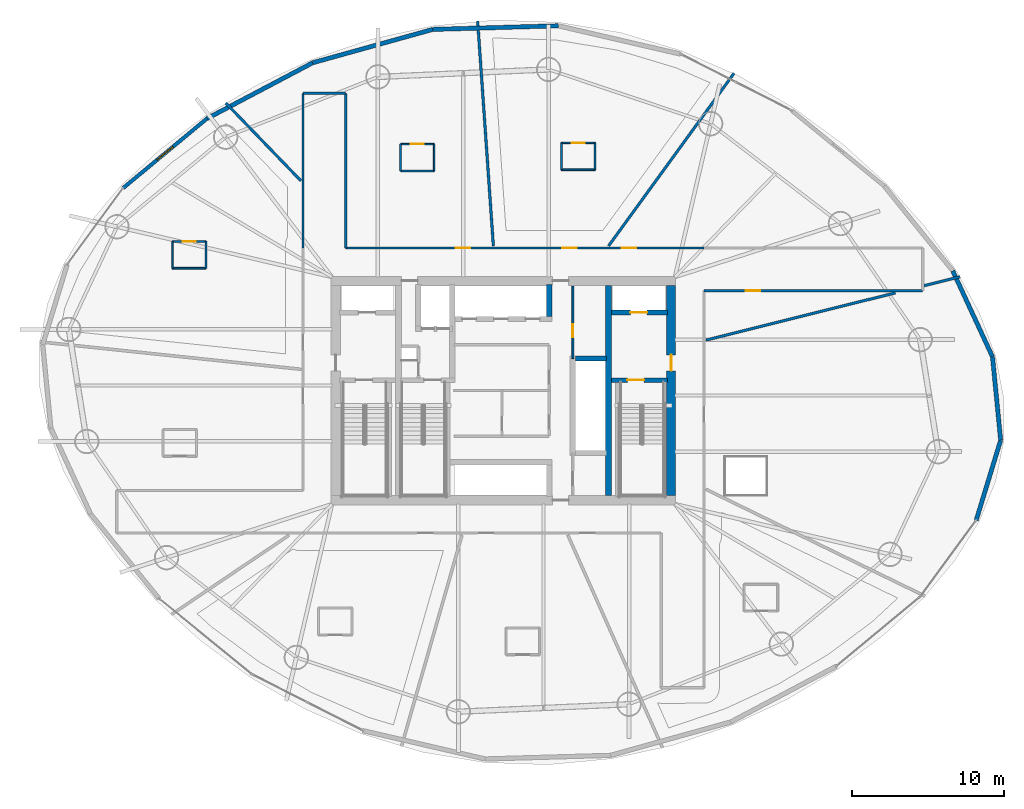
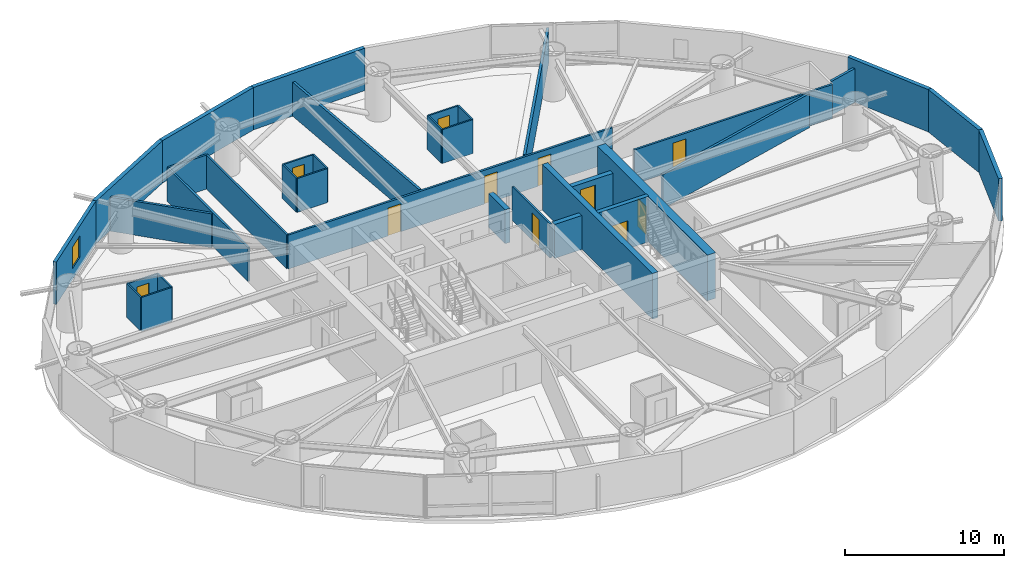
# One storey, part 16 of 20: 36 walls, 11 doors, 1 window, 12 openings.
"""IFC4 building model written with IfcOpenShell, lengths in metres."""

from ifc_helpers import new_model, si_unit, direction, frame, frame_2d, origin, place, context, subcontext, project, spatial, rectangle, extrude, material, layer, layer_set, type_object, element, fill, save


model = new_model("IFC4")

# Units and contexts
model_context = context("Model", 3, precision=1e-05, world=origin(), true_north=direction((0.0, 1.0)))
body_context = subcontext(model_context, "Body", "Model", "MODEL_VIEW")
ifc_project = project(units=[si_unit("LENGTHUNIT", "METRE"), si_unit("AREAUNIT", "SQUARE_METRE"), si_unit("VOLUMEUNIT", "CUBIC_METRE"), si_unit("PLANEANGLEUNIT", "RADIAN"), si_unit("MASSUNIT", "GRAM", prefix="KILO")], contexts=[model_context])

# Site, building, storey
site_placement = place(None, origin())
site = spatial("IfcSite", under=ifc_project, at=site_placement, CompositionType="ELEMENT")
building_placement = place(site_placement, origin())
building = spatial("IfcBuilding", under=site, at=building_placement, Name="Bramvorn Convention Spire", CompositionType="ELEMENT")
storey_placement = place(building_placement, frame((0.0, 0.0, 58.89990234375)))
storey = spatial("IfcBuildingStorey", under=building, at=storey_placement, Name="L12", CompositionType="ELEMENT", Elevation=58.89990234375)

# Wall, opening, door
ifc_material_1 = material(Name="Concrete C60/70", Category="concrete")
ifc_layer_1 = layer(ifc_material_1, 0.60009765625)
ifc_layer_set_1 = layer_set([ifc_layer_1], Name="Concrete C60/70 - WL-CORE-600")
wall_type_1 = type_object("IfcWallType", Name="WL-CORE-600", PredefinedType="SHEAR", material=ifc_layer_set_1)
wall_1_placement = place(storey_placement, frame((49.0, 19.10009765625, 0.0), z_axis=(0.0, 0.0, 1.0), x_axis=(0.0, 1.0, 0.0)))
wall_1 = element("IfcWall", 1, at=wall_1_placement, inside=storey, type_object=wall_type_1, Name="L12 East RC core shear wall", PredefinedType="SHEAR", context=body_context, shape_type="SweptSolid", body=[
    extrude(rectangle(XDim=13.7998046875, YDim=0.60009765625, at=frame_2d((6.89990234375, 0.0))), origin(), (0.0, 0.0, 1.0), 3.5),
])
opening_1_placement = place(wall_1_placement, frame((8.199951171875, 0.0, 0.0)))
opening_1 = element("IfcOpeningElement", 2, at=opening_1_placement, cuts=wall_1, Name="Opening DL-105", PredefinedType="OPENING", context=body_context, shape_type="SweptSolid", body=[
    extrude(rectangle(XDim=1.050048828125, YDim=2.14990234375, at=frame_2d((0.52490234375, 1.074951171875))), frame((0.0, 0.31005859375, 0.0), z_axis=(0.0, -1.0, 0.0), x_axis=(1.0, 0.0, 0.0)), (0.0, 0.0, 1.0), 0.6201171875),
])
ifc_material_2 = material(Name="Smoke-Sealed Fire Lobby Timber-Core Door", Category="wood")
door_type_1 = type_object("IfcDoorType", Name="DR-LOBBY-1050", OperationType="NOTDEFINED", PredefinedType="DOOR", material=ifc_material_2)
door_1_placement = place(opening_1_placement, origin())
door_1 = element("IfcDoor", 3, at=door_1_placement, inside=storey, type_object=door_type_1, Name="L12 East Firefighting Lobby corridor door", OperationType="SINGLE_SWING_LEFT", OverallHeight=2.14990234375, OverallWidth=1.050048828125, PredefinedType="DOOR", context=body_context, shape_type="SweptSolid", body=[
    extrude(rectangle(XDim=1.050048828125, YDim=2.14990234375, at=frame_2d((0.52490234375, 1.074951171875))), frame((0.0, 0.02490234375, 0.0), z_axis=(0.0, -1.0, 0.0), x_axis=(1.0, 0.0, 0.0)), (0.0, 0.0, 1.0), 0.050048828125),
])
fill(opening_1, door_1)

ifc_material_3 = material(Name="Concrete C50/60", Category="concrete")
ifc_layer_2 = layer(ifc_material_3, 0.35009765625)
ifc_layer_set_2 = layer_set([ifc_layer_2], Name="Concrete C50/60 - WL-CORE-INT-350")
wall_type_2 = type_object("IfcWallType", Name="WL-CORE-INT-350", PredefinedType="SHEAR", material=ifc_layer_set_2)
wall_2_placement = place(storey_placement, frame((45.080078125, 31.1201171875, 0.0), z_axis=(0.0, 0.0, 1.0), x_axis=(1.0, 0.0, 0.0)))
wall_2 = element("IfcWall", 4, at=wall_2_placement, inside=storey, type_object=wall_type_2, Name="L12 FE2 shaft front wall", PredefinedType="SHEAR", context=body_context, shape_type="SweptSolid", body=[
    extrude(rectangle(XDim=3.669921875, YDim=0.35009765625, at=frame_2d((1.8349609375, 0.0))), origin(), (0.0, 0.0, 1.0), 2.60009765625),
])
opening_2_placement = place(wall_2_placement, frame((1.25, 0.0, 0.0)))
opening_2 = element("IfcOpeningElement", 5, at=opening_2_placement, cuts=wall_2, Name="Opening LD-110", PredefinedType="OPENING", context=body_context, shape_type="SweptSolid", body=[
    extrude(rectangle(XDim=1.10009765625, YDim=2.14990234375, at=frame_2d((0.550048828125, 1.074951171875))), frame((0.0, 0.18505859375, 0.0), z_axis=(0.0, -1.0, 0.0), x_axis=(1.0, 0.0, 0.0)), (0.0, 0.0, 1.0), 0.3701171875),
])
ifc_material_4 = material(Name="Firefighting & Service Lift Sliding Landing Door", Category="steel")
door_type_2 = type_object("IfcDoorType", Name="DR-LIFT-LD-1100", OperationType="NOTDEFINED", PredefinedType="DOOR", material=ifc_material_4)
door_2_placement = place(opening_2_placement, origin())
door_2 = element("IfcDoor", 6, at=door_2_placement, inside=storey, type_object=door_type_2, Name="L12 Lift FE2 Sliding Landing Door", OperationType="SLIDING_TO_LEFT", OverallHeight=2.14990234375, OverallWidth=1.10009765625, PredefinedType="DOOR", context=body_context, shape_type="SweptSolid", body=[
    extrude(rectangle(XDim=1.10009765625, YDim=2.14990234375, at=frame_2d((0.550048828125, 1.074951171875))), frame((0.0, 0.02490234375, 0.0), z_axis=(0.0, -1.0, 0.0), x_axis=(1.0, 0.0, 0.0)), (0.0, 0.0, 1.0), 0.050048828125),
])
fill(opening_2, door_2)

# Walls
wall_3_placement = place(storey_placement, frame((42.719970703125, 28.10009765625, 0.0), z_axis=(0.0, 0.0, 1.0), x_axis=(1.0, 0.0, 0.0)))
element("IfcWall", 7, at=wall_3_placement, inside=storey, type_object=wall_type_2, Name="L12 High-rise lift bank north wall", PredefinedType="SHEAR", context=body_context, shape_type="SweptSolid", body=[
    extrude(rectangle(XDim=2.030029296875, YDim=0.35009765625, at=frame_2d((1.01513671875, 0.0))), origin(), (0.0, 0.0, 1.0), 2.60009765625),
])
wall_4_placement = place(storey_placement, frame((41.0, 30.8701171875, 0.0), z_axis=(0.0, 0.0, 1.0), x_axis=(0.0, 1.0, 0.0)))
element("IfcWall", 8, at=wall_4_placement, inside=storey, type_object=wall_type_2, Name="L12 Low-rise bank east cheek wall", PredefinedType="SHEAR", context=body_context, shape_type="SweptSolid", body=[
    extrude(rectangle(XDim=2.079833984375, YDim=0.35009765625, at=frame_2d((1.0400390625, 0.0))), origin(), (0.0, 0.0, 1.0), 2.60009765625),
])
ifc_layer_3 = layer(ifc_material_1, 0.39990234375)
ifc_layer_set_3 = layer_set([ifc_layer_3], Name="Concrete C60/70 - WL-CORE-INT-400")
wall_type_3 = type_object("IfcWallType", Name="WL-CORE-INT-400", PredefinedType="SHEAR", material=ifc_layer_set_3)
wall_5_placement = place(storey_placement, frame((44.89990234375, 19.10009765625, 0.0), z_axis=(0.0, 0.0, 1.0), x_axis=(0.0, 1.0, 0.0)))
element("IfcWall", 9, at=wall_5_placement, inside=storey, type_object=wall_type_3, Name="L12 East internal core shear web", PredefinedType="SHEAR", context=body_context, shape_type="SweptSolid", body=[
    extrude(rectangle(XDim=13.7998046875, YDim=0.39990234375, at=frame_2d((6.89990234375, 0.0))), origin(), (0.0, 0.0, 1.0), 3.5),
])
ifc_material_5 = material(Name="Precast Concrete C40/50 with Bronze Terracotta Rainscreen", Category="masonry")
ifc_layer_4 = layer(ifc_material_5, 0.300048828125)
ifc_layer_set_4 = layer_set([ifc_layer_4], Name="Precast Concrete C40/50 with Bronze Terracotta Rainscreen - WL-EXT-BRONZE-300")
wall_type_4 = type_object("IfcWallType", Name="WL-EXT-BRONZE-300", PredefinedType="SOLIDWALL", material=ifc_layer_set_4)
wall_6_placement = place(storey_placement, frame((70.08251953125, 28.215576171875, 0.0), z_axis=(0.0, 0.0, 1.0), x_axis=(0.09739288293, -0.995246012981, 0.0)))
element("IfcWall", 10, at=wall_6_placement, inside=storey, type_object=wall_type_4, Name="L12 expressed bronze Gothic lancet pier wall 01", PredefinedType="SOLIDWALL", context=body_context, shape_type="SweptSolid", body=[
    extrude(rectangle(XDim=5.497314453125, YDim=0.280029296875, at=frame_2d((2.74853515625, 0.0))), origin(), (0.0, 0.0, 1.0), 3.25),
])
wall_7_placement = place(storey_placement, frame((67.474853515625, 33.853759765625, 0.0), z_axis=(0.0, 0.0, 1.0), x_axis=(0.41977831576, -0.907626666432, 0.0)))
element("IfcWall", 11, at=wall_7_placement, inside=storey, type_object=wall_type_4, Name="L12 expressed bronze Gothic lancet pier wall 02", PredefinedType="SOLIDWALL", context=body_context, shape_type="SweptSolid", body=[
    extrude(rectangle(XDim=6.2119140625, YDim=0.280029296875, at=frame_2d((3.10595703125, 0.0))), origin(), (0.0, 0.0, 1.0), 3.25),
])
wall_8_placement = place(storey_placement, frame((33.356689453125, 49.693359375, 0.0), z_axis=(0.0, 0.0, 1.0), x_axis=(0.999581948435, 0.028912425738, 0.0)))
element("IfcWall", 12, at=wall_8_placement, inside=storey, type_object=wall_type_4, Name="L12 expressed bronze Gothic lancet pier wall 07", PredefinedType="SOLIDWALL", context=body_context, shape_type="SweptSolid", body=[
    extrude(rectangle(XDim=8.241455078125, YDim=0.280029296875, at=frame_2d((4.12060546875, 0.0))), origin(), (0.0, 0.0, 1.0), 3.25),
])
wall_9_placement = place(storey_placement, frame((25.484130859375, 47.50634765625, 0.0), z_axis=(0.0, 0.0, 1.0), x_axis=(0.963511916256, 0.267665438995, 0.0)))
element("IfcWall", 13, at=wall_9_placement, inside=storey, type_object=wall_type_4, Name="L12 expressed bronze Gothic lancet pier wall 08", PredefinedType="SOLIDWALL", context=body_context, shape_type="SweptSolid", body=[
    extrude(rectangle(XDim=8.170654296875, YDim=0.280029296875, at=frame_2d((4.08544921875, 0.0))), origin(), (0.0, 0.0, 1.0), 3.25),
])
wall_10_placement = place(storey_placement, frame((18.5458984375, 43.845458984375, 0.0), z_axis=(0.0, 0.0, 1.0), x_axis=(0.884435063854, 0.466663280991, 0.0)))
element("IfcWall", 14, at=wall_10_placement, inside=storey, type_object=wall_type_4, Name="L12 expressed bronze Gothic lancet pier wall 09", PredefinedType="SOLIDWALL", context=body_context, shape_type="SweptSolid", body=[
    extrude(rectangle(XDim=7.8447265625, YDim=0.280029296875, at=frame_2d((3.92236328125, 0.0))), origin(), (0.0, 0.0, 1.0), 3.25),
])

# Wall, opening, window
wall_11_placement = place(storey_placement, frame((13.047119140625, 39.286376953125, 0.0), z_axis=(0.0, 0.0, 1.0), x_axis=(0.769818580763, 0.638262761496, 0.0)))
wall_11 = element("IfcWall", 15, at=wall_11_placement, inside=storey, type_object=wall_type_4, Name="L12 bronze ceramic-frit spandrel & operable window bay 10", PredefinedType="SOLIDWALL", context=body_context, shape_type="SweptSolid", body=[
    extrude(rectangle(XDim=7.14306640625, YDim=0.239990234375, at=frame_2d((3.571533203125, 0.0))), origin(), (0.0, 0.0, 1.0), 3.25),
])
opening_3_placement = place(wall_11_placement, frame((2.896484375, 0.0, 0.85009765625)))
opening_3 = element("IfcOpeningElement", 16, at=opening_3_placement, cuts=wall_11, Name="Opening WN07", PredefinedType="OPENING", context=body_context, shape_type="SweptSolid", body=[
    extrude(rectangle(XDim=1.35009765625, YDim=1.64990234375, at=frame_2d((0.675048828125, 0.824951171875))), frame((0.0, 0.1298828125, 0.0), z_axis=(0.0, -1.0, 0.0), x_axis=(1.0, 0.0, 0.0)), (0.0, 0.0, 1.0), 0.260009765625),
])
ifc_material_6 = material(Name="Thermally Broken Bronze Aluminium & Triple Low-E Glass", Category="aluminium")
window_type = type_object("IfcWindowType", Name="WN-OP-1350X1650", PartitioningType="SINGLE_PANEL", PredefinedType="WINDOW", material=ifc_material_6)
window_placement = place(opening_3_placement, origin())
window = element("IfcWindow", 17, at=window_placement, inside=storey, type_object=window_type, Name="L12 operable parallel-vent window 10", OverallHeight=1.64990234375, OverallWidth=1.35009765625, PartitioningType="SINGLE_PANEL", PredefinedType="WINDOW", context=body_context, shape_type="SweptSolid", body=[
    extrude(rectangle(XDim=1.35009765625, YDim=1.64990234375, at=frame_2d((0.675048828125, 0.824951171875))), frame((0.0, 0.030029296875, 0.0), z_axis=(0.0, -1.0, 0.0), x_axis=(1.0, 0.0, 0.0)), (0.0, 0.0, 1.0), 0.06005859375),
])
fill(opening_3, window)

# Walls
wall_12_placement = place(storey_placement, frame((70.617919921875, 22.744384765625, 0.0), z_axis=(0.0, 0.0, 1.0), x_axis=(-0.292172276323, -0.956365704607, 0.0)))
element("IfcWall", 18, at=wall_12_placement, inside=storey, type_object=wall_type_4, Name="L12 expressed bronze Gothic lancet pier wall 24", PredefinedType="SOLIDWALL", context=body_context, shape_type="SweptSolid", body=[
    extrude(rectangle(XDim=5.49755859375, YDim=0.280029296875, at=frame_2d((2.748779296875, 0.0))), origin(), (0.0, 0.0, 1.0), 3.25),
])
ifc_material_7 = material(Name="Lightweight En-Suite & Wet-Wall Partition", Category="gypsum")
ifc_layer_5 = layer(ifc_material_7, 0.110107421875)
ifc_layer_set_5 = layer_set([ifc_layer_5], Name="Lightweight En-Suite & Wet-Wall Partition - WL-PART-110")
wall_type_5 = type_object("IfcWallType", Name="WL-PART-110", PredefinedType="PARTITIONING", material=ifc_layer_set_5)
wall_13_placement = place(storey_placement, frame((41.805419921875, 40.48876953125, 0.0), z_axis=(0.0, 0.0, 1.0), x_axis=(1.0, 0.0, 0.0)))
element("IfcWall", 19, at=wall_13_placement, inside=storey, type_object=wall_type_5, Name="Hotel Suite 1203 en-suite south wall", PredefinedType="PARTITIONING", context=body_context, shape_type="SweptSolid", body=[
    extrude(rectangle(XDim=2.2001953125, YDim=0.110107421875, at=frame_2d((1.10009765625, 0.0))), origin(), (0.0, 0.0, 1.0), 2.60009765625),
])

# Wall, opening, door
wall_14_placement = place(storey_placement, frame((41.805419921875, 42.248779296875, 0.0), z_axis=(0.0, 0.0, 1.0), x_axis=(1.0, 0.0, 0.0)))
wall_14 = element("IfcWall", 20, at=wall_14_placement, inside=storey, type_object=wall_type_5, Name="Hotel Suite 1203 en-suite north wall", PredefinedType="PARTITIONING", context=body_context, shape_type="SweptSolid", body=[
    extrude(rectangle(XDim=2.2001953125, YDim=0.110107421875, at=frame_2d((1.10009765625, 0.0))), origin(), (0.0, 0.0, 1.0), 2.60009765625),
])
opening_4_placement = place(wall_14_placement, frame((0.679931640625, 0.0, 0.0)))
opening_4 = element("IfcOpeningElement", 21, at=opening_4_placement, cuts=wall_14, Name="Opening DI-085", PredefinedType="OPENING", context=body_context, shape_type="SweptSolid", body=[
    extrude(rectangle(XDim=0.85009765625, YDim=2.10009765625, at=frame_2d((0.425048828125, 1.050048828125))), frame((0.0, 0.06494140625, 0.0), z_axis=(0.0, -1.0, 0.0), x_axis=(1.0, 0.0, 0.0)), (0.0, 0.0, 1.0), 0.130126953125),
])
ifc_material_8 = material(Name="En-Suite & Restroom Privacy Door", Category="wood")
door_type_3 = type_object("IfcDoorType", Name="DR-INT-850", OperationType="NOTDEFINED", PredefinedType="DOOR", material=ifc_material_8)
door_3_placement = place(opening_4_placement, origin())
door_3 = element("IfcDoor", 22, at=door_3_placement, inside=storey, type_object=door_type_3, Name="Hotel Suite 1203 En-Suite Bathroom door", OperationType="SINGLE_SWING_LEFT", OverallHeight=2.10009765625, OverallWidth=0.85009765625, PredefinedType="DOOR", context=body_context, shape_type="SweptSolid", body=[
    extrude(rectangle(XDim=0.85009765625, YDim=2.10009765625, at=frame_2d((0.425048828125, 1.050048828125))), frame((0.0, 0.02490234375, 0.0), z_axis=(0.0, -1.0, 0.0), x_axis=(1.0, 0.0, 0.0)), (0.0, 0.0, 1.0), 0.050048828125),
])
fill(opening_4, door_3)

# Walls
for number, where, z_axis, x_axis, name in (
    (23, (41.805419921875, 40.48876953125, 0.0), (0.0, 0.0, 1.0), (0.0, 1.0, 0.0), "Hotel Suite 1203 en-suite west wall"),
    (24, (44.005615234375, 40.48876953125, 0.0), (0.0, 0.0, 1.0), (0.0, 1.0, 0.0), "Hotel Suite 1203 en-suite east wall"),
):
    element("IfcWall", number, at=place(storey_placement, frame(where, z_axis=z_axis, x_axis=x_axis)), inside=storey, type_object=wall_type_5, Name=name, PredefinedType="PARTITIONING", context=body_context, shape_type="SweptSolid", body=[
        extrude(rectangle(XDim=1.760009765625, YDim=0.110107421875, at=frame_2d((0.8798828125, 0.0))), origin(), (0.0, 0.0, 1.0), 2.60009765625),
    ])
wall_15_placement = place(storey_placement, frame((31.2490234375, 40.4091796875, 0.0), z_axis=(0.0, 0.0, 1.0), x_axis=(1.0, 0.0, 0.0)))
element("IfcWall", 25, at=wall_15_placement, inside=storey, type_object=wall_type_5, Name="Hotel Suite 1204 en-suite south wall", PredefinedType="PARTITIONING", context=body_context, shape_type="SweptSolid", body=[
    extrude(rectangle(XDim=2.199951171875, YDim=0.110107421875, at=frame_2d((1.10009765625, 0.0))), origin(), (0.0, 0.0, 1.0), 2.60009765625),
])

# Wall, opening, door
wall_16_placement = place(storey_placement, frame((31.2490234375, 42.169189453125, 0.0), z_axis=(0.0, 0.0, 1.0), x_axis=(1.0, 0.0, 0.0)))
wall_16 = element("IfcWall", 26, at=wall_16_placement, inside=storey, type_object=wall_type_5, Name="Hotel Suite 1204 en-suite north wall", PredefinedType="PARTITIONING", context=body_context, shape_type="SweptSolid", body=[
    extrude(rectangle(XDim=2.199951171875, YDim=0.110107421875, at=frame_2d((1.10009765625, 0.0))), origin(), (0.0, 0.0, 1.0), 2.60009765625),
])
opening_5_placement = place(wall_16_placement, frame((0.679931640625, 0.0, 0.0)))
opening_5 = element("IfcOpeningElement", 27, at=opening_5_placement, cuts=wall_16, Name="Opening DI-085", PredefinedType="OPENING", context=body_context, shape_type="SweptSolid", body=[
    extrude(rectangle(XDim=0.85009765625, YDim=2.10009765625, at=frame_2d((0.425048828125, 1.050048828125))), frame((0.0, 0.06494140625, 0.0), z_axis=(0.0, -1.0, 0.0), x_axis=(1.0, 0.0, 0.0)), (0.0, 0.0, 1.0), 0.130126953125),
])
door_4_placement = place(opening_5_placement, origin())
door_4 = element("IfcDoor", 28, at=door_4_placement, inside=storey, type_object=door_type_3, Name="Hotel Suite 1204 En-Suite Bathroom door", OperationType="SINGLE_SWING_LEFT", OverallHeight=2.10009765625, OverallWidth=0.85009765625, PredefinedType="DOOR", context=body_context, shape_type="SweptSolid", body=[
    extrude(rectangle(XDim=0.85009765625, YDim=2.10009765625, at=frame_2d((0.425048828125, 1.050048828125))), frame((0.0, 0.02490234375, 0.0), z_axis=(0.0, -1.0, 0.0), x_axis=(1.0, 0.0, 0.0)), (0.0, 0.0, 1.0), 0.050048828125),
])
fill(opening_5, door_4)

# Walls
for number, where, z_axis, x_axis, name in (
    (29, (31.2490234375, 40.4091796875, 0.0), (0.0, 0.0, 1.0), (0.0, 1.0, 0.0), "Hotel Suite 1204 en-suite west wall"),
    (30, (33.448974609375, 40.4091796875, 0.0), (0.0, 0.0, 1.0), (0.0, 1.0, 0.0), "Hotel Suite 1204 en-suite east wall"),
):
    element("IfcWall", number, at=place(storey_placement, frame(where, z_axis=z_axis, x_axis=x_axis)), inside=storey, type_object=wall_type_5, Name=name, PredefinedType="PARTITIONING", context=body_context, shape_type="SweptSolid", body=[
        extrude(rectangle(XDim=1.760009765625, YDim=0.110107421875, at=frame_2d((0.8798828125, 0.0))), origin(), (0.0, 0.0, 1.0), 2.60009765625),
    ])
wall_17_placement = place(storey_placement, frame((16.279296875, 34.021728515625, 0.0), z_axis=(0.0, 0.0, 1.0), x_axis=(1.0, 0.0, 0.0)))
element("IfcWall", 31, at=wall_17_placement, inside=storey, type_object=wall_type_5, Name="Hotel Suite 1205 en-suite south wall", PredefinedType="PARTITIONING", context=body_context, shape_type="SweptSolid", body=[
    extrude(rectangle(XDim=2.2001953125, YDim=0.110107421875, at=frame_2d((1.10009765625, 0.0))), origin(), (0.0, 0.0, 1.0), 2.60009765625),
])

# Wall, opening, door
wall_18_placement = place(storey_placement, frame((16.279296875, 35.78173828125, 0.0), z_axis=(0.0, 0.0, 1.0), x_axis=(1.0, 0.0, 0.0)))
wall_18 = element("IfcWall", 32, at=wall_18_placement, inside=storey, type_object=wall_type_5, Name="Hotel Suite 1205 en-suite north wall", PredefinedType="PARTITIONING", context=body_context, shape_type="SweptSolid", body=[
    extrude(rectangle(XDim=2.2001953125, YDim=0.110107421875, at=frame_2d((1.10009765625, 0.0))), origin(), (0.0, 0.0, 1.0), 2.60009765625),
])
opening_6_placement = place(wall_18_placement, frame((0.679931640625, 0.0, 0.0)))
opening_6 = element("IfcOpeningElement", 33, at=opening_6_placement, cuts=wall_18, Name="Opening DI-085", PredefinedType="OPENING", context=body_context, shape_type="SweptSolid", body=[
    extrude(rectangle(XDim=0.85009765625, YDim=2.10009765625, at=frame_2d((0.425048828125, 1.050048828125))), frame((0.0, 0.06494140625, 0.0), z_axis=(0.0, -1.0, 0.0), x_axis=(1.0, 0.0, 0.0)), (0.0, 0.0, 1.0), 0.130126953125),
])
door_5_placement = place(opening_6_placement, origin())
door_5 = element("IfcDoor", 34, at=door_5_placement, inside=storey, type_object=door_type_3, Name="Hotel Suite 1205 En-Suite Bathroom door", OperationType="SINGLE_SWING_LEFT", OverallHeight=2.10009765625, OverallWidth=0.85009765625, PredefinedType="DOOR", context=body_context, shape_type="SweptSolid", body=[
    extrude(rectangle(XDim=0.85009765625, YDim=2.10009765625, at=frame_2d((0.425048828125, 1.050048828125))), frame((0.0, 0.02490234375, 0.0), z_axis=(0.0, -1.0, 0.0), x_axis=(1.0, 0.0, 0.0)), (0.0, 0.0, 1.0), 0.050048828125),
])
fill(opening_6, door_5)

# Walls
for number, where, z_axis, x_axis, name in (
    (35, (16.279296875, 34.021728515625, 0.0), (0.0, 0.0, 1.0), (0.0, 1.0, 0.0), "Hotel Suite 1205 en-suite west wall"),
    (36, (18.4794921875, 34.021728515625, 0.0), (0.0, 0.0, 1.0), (0.0, 1.0, 0.0), "Hotel Suite 1205 en-suite east wall"),
):
    element("IfcWall", number, at=place(storey_placement, frame(where, z_axis=z_axis, x_axis=x_axis)), inside=storey, type_object=wall_type_5, Name=name, PredefinedType="PARTITIONING", context=body_context, shape_type="SweptSolid", body=[
        extrude(rectangle(XDim=1.760009765625, YDim=0.110107421875, at=frame_2d((0.8798828125, 0.0))), origin(), (0.0, 0.0, 1.0), 2.60009765625),
    ])

# Wall, opening, door
ifc_material_9 = material(Name="Metal-Stud Demountable Office Partition", Category="gypsum")
ifc_layer_6 = layer(ifc_material_9, 0.1298828125)
ifc_layer_set_6 = layer_set([ifc_layer_6], Name="Metal-Stud Demountable Office Partition - WL-PART-130")
wall_type_6 = type_object("IfcWallType", Name="WL-PART-130", PredefinedType="PARTITIONING", material=ifc_layer_set_6)
wall_19_placement = place(storey_placement, frame((42.550048828125, 28.10009765625, 0.0), z_axis=(0.0, 0.0, 1.0), x_axis=(0.0, 1.0, 0.0)))
wall_19 = element("IfcWall", 37, at=wall_19_placement, inside=storey, type_object=wall_type_6, Name="L12 KA NE IDF wall", PredefinedType="PARTITIONING", context=body_context, shape_type="SweptSolid", body=[
    extrude(rectangle(XDim=4.75, YDim=0.1298828125, at=frame_2d((2.375, 0.0))), origin(), (0.0, 0.0, 1.0), 2.60009765625),
])
opening_7_placement = place(wall_19_placement, frame((1.39990234375, 0.0, 0.0)))
opening_7 = element("IfcOpeningElement", 38, at=opening_7_placement, cuts=wall_19, Name="Opening DC-085", PredefinedType="OPENING", context=body_context, shape_type="SweptSolid", body=[
    extrude(rectangle(XDim=0.85009765625, YDim=2.10009765625, at=frame_2d((0.425048828125, 1.050048828125))), frame((0.0, 0.074951171875, 0.0), z_axis=(0.0, -1.0, 0.0), x_axis=(1.0, 0.0, 0.0)), (0.0, 0.0, 1.0), 0.14990234375),
])
ifc_material_10 = material(Name="Fire-Rated Core Washroom & IDF Door", Category="wood")
door_type_4 = type_object("IfcDoorType", Name="DR-CORE-850", OperationType="NOTDEFINED", PredefinedType="DOOR", material=ifc_material_10)
door_6_placement = place(opening_7_placement, origin())
door_6 = element("IfcDoor", 39, at=door_6_placement, inside=storey, type_object=door_type_4, Name="L12 Core IDF & BMS Room door", OperationType="SINGLE_SWING_LEFT", OverallHeight=2.10009765625, OverallWidth=0.85009765625, PredefinedType="DOOR", context=body_context, shape_type="SweptSolid", body=[
    extrude(rectangle(XDim=0.85009765625, YDim=2.10009765625, at=frame_2d((0.425048828125, 1.050048828125))), frame((0.0, 0.02490234375, 0.0), z_axis=(0.0, -1.0, 0.0), x_axis=(1.0, 0.0, 0.0)), (0.0, 0.0, 1.0), 0.050048828125),
])
fill(opening_7, door_6)

# Wall, openings, doors
ifc_material_11 = material(Name="Acoustic Metal-Stud Tenant/Corridor Partition", Category="gypsum")
ifc_layer_7 = layer(ifc_material_11, 0.14990234375)
ifc_layer_set_7 = layer_set([ifc_layer_7], Name="Acoustic Metal-Stud Tenant/Corridor Partition - WL-PART-150")
wall_type_7 = type_object("IfcWallType", Name="WL-PART-150", PredefinedType="PARTITIONING", material=ifc_layer_set_7)
wall_20_placement = place(storey_placement, frame((27.64990234375, 35.35009765625, 0.0), z_axis=(0.0, 0.0, 1.0), x_axis=(1.0, 0.0, 0.0)))
wall_20 = element("IfcWall", 40, at=wall_20_placement, inside=storey, type_object=wall_type_7, Name="L12 North ring corridor wall", PredefinedType="PARTITIONING", context=body_context, shape_type="SweptSolid", body=[
    extrude(rectangle(XDim=23.5, YDim=0.14990234375, at=frame_2d((11.75, 0.0))), origin(), (0.0, 0.0, 1.0), 2.60009765625),
])
opening_8_placement = place(wall_20_placement, frame((18.100341796875, 0.0, 0.0)))
opening_8 = element("IfcOpeningElement", 41, at=opening_8_placement, cuts=wall_20, Name="Opening DH-095", PredefinedType="OPENING", context=body_context, shape_type="SweptSolid", body=[
    extrude(rectangle(XDim=0.949951171875, YDim=2.14990234375, at=frame_2d((0.47509765625, 1.074951171875))), frame((0.0, 0.0849609375, 0.0), z_axis=(0.0, -1.0, 0.0), x_axis=(1.0, 0.0, 0.0)), (0.0, 0.0, 1.0), 0.169921875),
])
opening_9_placement = place(wall_20_placement, frame((14.212158203125, 0.0, 0.0)))
opening_9 = element("IfcOpeningElement", 42, at=opening_9_placement, cuts=wall_20, Name="Opening DH-095", PredefinedType="OPENING", context=body_context, shape_type="SweptSolid", body=[
    extrude(rectangle(XDim=0.949951171875, YDim=2.14990234375, at=frame_2d((0.47509765625, 1.074951171875))), frame((0.0, 0.0849609375, 0.0), z_axis=(0.0, -1.0, 0.0), x_axis=(1.0, 0.0, 0.0)), (0.0, 0.0, 1.0), 0.169921875),
])
opening_10_placement = place(wall_20_placement, frame((7.232177734375, 0.0, 0.0)))
opening_10 = element("IfcOpeningElement", 43, at=opening_10_placement, cuts=wall_20, Name="Opening DH-095", PredefinedType="OPENING", context=body_context, shape_type="SweptSolid", body=[
    extrude(rectangle(XDim=0.949951171875, YDim=2.14990234375, at=frame_2d((0.47509765625, 1.074951171875))), frame((0.0, 0.0849609375, 0.0), z_axis=(0.0, -1.0, 0.0), x_axis=(1.0, 0.0, 0.0)), (0.0, 0.0, 1.0), 0.169921875),
])
ifc_material_12 = material(Name="Solid-Core Acoustic Guestroom Entry Door", Category="wood")
door_type_5 = type_object("IfcDoorType", Name="DR-HOTEL-950", OperationType="NOTDEFINED", PredefinedType="DOOR", material=ifc_material_12)
door_7_placement = place(opening_8_placement, origin())
door_7 = element("IfcDoor", 44, at=door_7_placement, inside=storey, type_object=door_type_5, Name="L12 Hospitality Lounge 1 door", OperationType="SINGLE_SWING_LEFT", OverallHeight=2.14990234375, OverallWidth=0.949951171875, PredefinedType="DOOR", context=body_context, shape_type="SweptSolid", body=[
    extrude(rectangle(XDim=0.949951171875, YDim=2.14990234375, at=frame_2d((0.47509765625, 1.074951171875))), frame((0.0, 0.02490234375, 0.0), z_axis=(0.0, -1.0, 0.0), x_axis=(1.0, 0.0, 0.0)), (0.0, 0.0, 1.0), 0.050048828125),
])
fill(opening_8, door_7)
door_8_placement = place(opening_9_placement, origin())
door_8 = element("IfcDoor", 45, at=door_8_placement, inside=storey, type_object=door_type_5, Name="Hotel Suite 1203 entry door", OperationType="SINGLE_SWING_LEFT", OverallHeight=2.14990234375, OverallWidth=0.949951171875, PredefinedType="DOOR", context=body_context, shape_type="SweptSolid", body=[
    extrude(rectangle(XDim=0.949951171875, YDim=2.14990234375, at=frame_2d((0.47509765625, 1.074951171875))), frame((0.0, 0.02490234375, 0.0), z_axis=(0.0, -1.0, 0.0), x_axis=(1.0, 0.0, 0.0)), (0.0, 0.0, 1.0), 0.050048828125),
])
fill(opening_9, door_8)
door_9_placement = place(opening_10_placement, origin())
door_9 = element("IfcDoor", 46, at=door_9_placement, inside=storey, type_object=door_type_5, Name="Hotel Suite 1204 entry door", OperationType="SINGLE_SWING_LEFT", OverallHeight=2.14990234375, OverallWidth=0.949951171875, PredefinedType="DOOR", context=body_context, shape_type="SweptSolid", body=[
    extrude(rectangle(XDim=0.949951171875, YDim=2.14990234375, at=frame_2d((0.47509765625, 1.074951171875))), frame((0.0, 0.02490234375, 0.0), z_axis=(0.0, -1.0, 0.0), x_axis=(1.0, 0.0, 0.0)), (0.0, 0.0, 1.0), 0.050048828125),
])
fill(opening_10, door_9)

# Wall, opening, door
wall_21_placement = place(storey_placement, frame((51.14990234375, 32.550048828125, 0.0), z_axis=(0.0, 0.0, 1.0), x_axis=(1.0, 0.0, 0.0)))
wall_21 = element("IfcWall", 47, at=wall_21_placement, inside=storey, type_object=wall_type_7, Name="L12 NE pinwheel wing south wall", PredefinedType="PARTITIONING", context=body_context, shape_type="SweptSolid", body=[
    extrude(rectangle(XDim=14.35009765625, YDim=0.14990234375, at=frame_2d((7.175048828125, 0.0))), origin(), (0.0, 0.0, 1.0), 2.60009765625),
])
opening_11_placement = place(wall_21_placement, frame((2.7587890625, 0.0, 0.0)))
opening_11 = element("IfcOpeningElement", 48, at=opening_11_placement, cuts=wall_21, Name="Opening DH-095", PredefinedType="OPENING", context=body_context, shape_type="SweptSolid", body=[
    extrude(rectangle(XDim=0.949951171875, YDim=2.14990234375, at=frame_2d((0.47509765625, 1.074951171875))), frame((0.0, 0.0849609375, 0.0), z_axis=(0.0, -1.0, 0.0), x_axis=(1.0, 0.0, 0.0)), (0.0, 0.0, 1.0), 0.169921875),
])
door_10_placement = place(opening_11_placement, origin())
door_10 = element("IfcDoor", 49, at=door_10_placement, inside=storey, type_object=door_type_5, Name="Hotel Guestroom 1202 entry door", OperationType="SINGLE_SWING_RIGHT", OverallHeight=2.14990234375, OverallWidth=0.949951171875, PredefinedType="DOOR", context=body_context, shape_type="SweptSolid", body=[
    extrude(rectangle(XDim=0.949951171875, YDim=2.14990234375, at=frame_2d((0.47509765625, 1.074951171875))), frame((0.0, 0.02490234375, 0.0), z_axis=(0.0, -1.0, 0.0), x_axis=(1.0, 0.0, 0.0)), (0.0, 0.0, 1.0), 0.050048828125),
])
fill(opening_11, door_10)

# Walls
for number, where, z_axis, x_axis, name in (
    (50, (24.85009765625, 35.35009765625, 0.0), (0.0, 0.0, 1.0), (0.0, 1.0, 0.0), "L12 NW pinwheel wing west wall"),
    (51, (27.64990234375, 35.35009765625, 0.0), (0.0, 0.0, 1.0), (0.0, 1.0, 0.0), "L12 NW pinwheel wing east wall"),
):
    element("IfcWall", number, at=place(storey_placement, frame(where, z_axis=z_axis, x_axis=x_axis)), inside=storey, type_object=wall_type_7, Name=name, PredefinedType="PARTITIONING", context=body_context, shape_type="SweptSolid", body=[
        extrude(rectangle(XDim=10.14990234375, YDim=0.14990234375, at=frame_2d((5.074951171875, 0.0))), origin(), (0.0, 0.0, 1.0), 2.60009765625),
    ])
wall_22_placement = place(storey_placement, frame((24.85009765625, 45.5, 0.0), z_axis=(0.0, 0.0, 1.0), x_axis=(1.0, 0.0, 0.0)))
element("IfcWall", 52, at=wall_22_placement, inside=storey, type_object=wall_type_7, Name="L12 NW pinwheel end wall", PredefinedType="PARTITIONING", context=body_context, shape_type="SweptSolid", body=[
    extrude(rectangle(XDim=2.7998046875, YDim=0.14990234375, at=frame_2d((1.39990234375, 0.0))), origin(), (0.0, 0.0, 1.0), 2.60009765625),
])
ifc_material_13 = material(Name="Double-Stud Acoustic Hotel/Suite Partition", Category="gypsum")
ifc_layer_8 = layer(ifc_material_13, 0.175048828125)
ifc_layer_set_8 = layer_set([ifc_layer_8], Name="Double-Stud Acoustic Hotel/Suite Partition - WL-PART-175")
wall_type_8 = type_object("IfcWallType", Name="WL-PART-175", PredefinedType="PARTITIONING", material=ifc_layer_set_8)
wall_23_placement = place(storey_placement, frame((51.2900390625, 29.313720703125, 0.0), z_axis=(0.0, 0.0, 1.0), x_axis=(0.970299383645, 0.241907226221, 0.0)))
element("IfcWall", 53, at=wall_23_placement, inside=storey, type_object=wall_type_8, Name="L12 Guestroom demising wall 1", PredefinedType="PARTITIONING", context=body_context, shape_type="SweptSolid", body=[
    extrude(rectangle(XDim=12.799072265625, YDim=0.175048828125, at=frame_2d((6.3994140625, 0.0))), origin(), (0.0, 0.0, 1.0), 2.60009765625),
])
wall_24_placement = place(storey_placement, frame((65.590576171875, 32.879150390625, 0.0), z_axis=(0.0, 0.0, 1.0), x_axis=(0.970294886869, 0.241925262251, 0.0)))
element("IfcWall", 54, at=wall_24_placement, inside=storey, type_object=wall_type_8, Name="L12 Guestroom demising wall 1", PredefinedType="PARTITIONING", context=body_context, shape_type="SweptSolid", body=[
    extrude(rectangle(XDim=2.447265625, YDim=0.175048828125, at=frame_2d((1.2236328125, 0.0))), origin(), (0.0, 0.0, 1.0), 2.60009765625),
])
wall_25_placement = place(storey_placement, frame((44.89501953125, 35.489990234375, 0.0), z_axis=(0.0, 0.0, 1.0), x_axis=(0.587777731852, 0.809022458241, 0.0)))
element("IfcWall", 55, at=wall_25_placement, inside=storey, type_object=wall_type_8, Name="L12 Guestroom demising wall 2", PredefinedType="PARTITIONING", context=body_context, shape_type="SweptSolid", body=[
    extrude(rectangle(XDim=14.00439453125, YDim=0.175048828125, at=frame_2d((7.002197265625, 0.0))), origin(), (0.0, 0.0, 1.0), 2.60009765625),
])
wall_26_placement = place(storey_placement, frame((37.33642578125, 35.489990234375, 0.0), z_axis=(0.0, 0.0, 1.0), x_axis=(-0.06976338587, 0.997563566893, 0.0)))
element("IfcWall", 56, at=wall_26_placement, inside=storey, type_object=wall_type_8, Name="L12 Guestroom demising wall 3", PredefinedType="PARTITIONING", context=body_context, shape_type="SweptSolid", body=[
    extrude(rectangle(XDim=14.7822265625, YDim=0.175048828125, at=frame_2d((7.39111328125, 0.0))), origin(), (0.0, 0.0, 1.0), 2.60009765625),
])
wall_27_placement = place(storey_placement, frame((24.7099609375, 39.76220703125, 0.0), z_axis=(0.0, 0.0, 1.0), x_axis=(-0.694655869991, 0.719342215004, 0.0)))
element("IfcWall", 57, at=wall_27_placement, inside=storey, type_object=wall_type_8, Name="L12 Guestroom demising wall 4", PredefinedType="PARTITIONING", context=body_context, shape_type="SweptSolid", body=[
    extrude(rectangle(XDim=7.100830078125, YDim=0.175048828125, at=frame_2d((3.55029296875, 0.0))), origin(), (0.0, 0.0, 1.0), 2.60009765625),
])

# Wall, opening, door
ifc_layer_9 = layer(ifc_material_3, 0.300048828125)
ifc_layer_set_9 = layer_set([ifc_layer_9], Name="Concrete C50/60 - WL-POD-STAIR-300")
wall_type_9 = type_object("IfcWallType", Name="WL-POD-STAIR-300", PredefinedType="SHEAR", material=ifc_layer_set_9)
wall_28_placement = place(storey_placement, frame((45.080078125, 26.68994140625, 0.0), z_axis=(0.0, 0.0, 1.0), x_axis=(1.0, 0.0, 0.0)))
wall_28 = element("IfcWall", 58, at=wall_28_placement, inside=storey, type_object=wall_type_9, Name="L12 ST2 north fire wall", PredefinedType="SHEAR", context=body_context, shape_type="SweptSolid", body=[
    extrude(rectangle(XDim=3.669921875, YDim=0.300048828125, at=frame_2d((1.8349609375, 0.0))), origin(), (0.0, 0.0, 1.0), 3.5),
])
opening_12_placement = place(wall_28_placement, frame((1.050048828125, 0.0, 0.0)))
opening_12 = element("IfcOpeningElement", 59, at=opening_12_placement, cuts=wall_28, Name="Opening DS-110", PredefinedType="OPENING", context=body_context, shape_type="SweptSolid", body=[
    extrude(rectangle(XDim=1.10009765625, YDim=2.14990234375, at=frame_2d((0.550048828125, 1.074951171875))), frame((0.0, 0.159912109375, 0.0), z_axis=(0.0, -1.0, 0.0), x_axis=(1.0, 0.0, 0.0)), (0.0, 0.0, 1.0), 0.320068359375),
])
ifc_material_14 = material(Name="Fire-Rated Hollow Steel Stairwell Door", Category="steel")
door_type_6 = type_object("IfcDoorType", Name="DR-STAIR-1100", OperationType="NOTDEFINED", PredefinedType="DOOR", material=ifc_material_14)
door_11_placement = place(opening_12_placement, origin())
door_11 = element("IfcDoor", 60, at=door_11_placement, inside=storey, type_object=door_type_6, Name="L12 Stair ST2 fire door", OperationType="SINGLE_SWING_RIGHT", OverallHeight=2.14990234375, OverallWidth=1.10009765625, PredefinedType="DOOR", context=body_context, shape_type="SweptSolid", body=[
    extrude(rectangle(XDim=1.10009765625, YDim=2.14990234375, at=frame_2d((0.550048828125, 1.074951171875))), frame((0.0, 0.02490234375, 0.0), z_axis=(0.0, -1.0, 0.0), x_axis=(1.0, 0.0, 0.0)), (0.0, 0.0, 1.0), 0.050048828125),
])
fill(opening_12, door_11)

save(model, "model.ifc")
